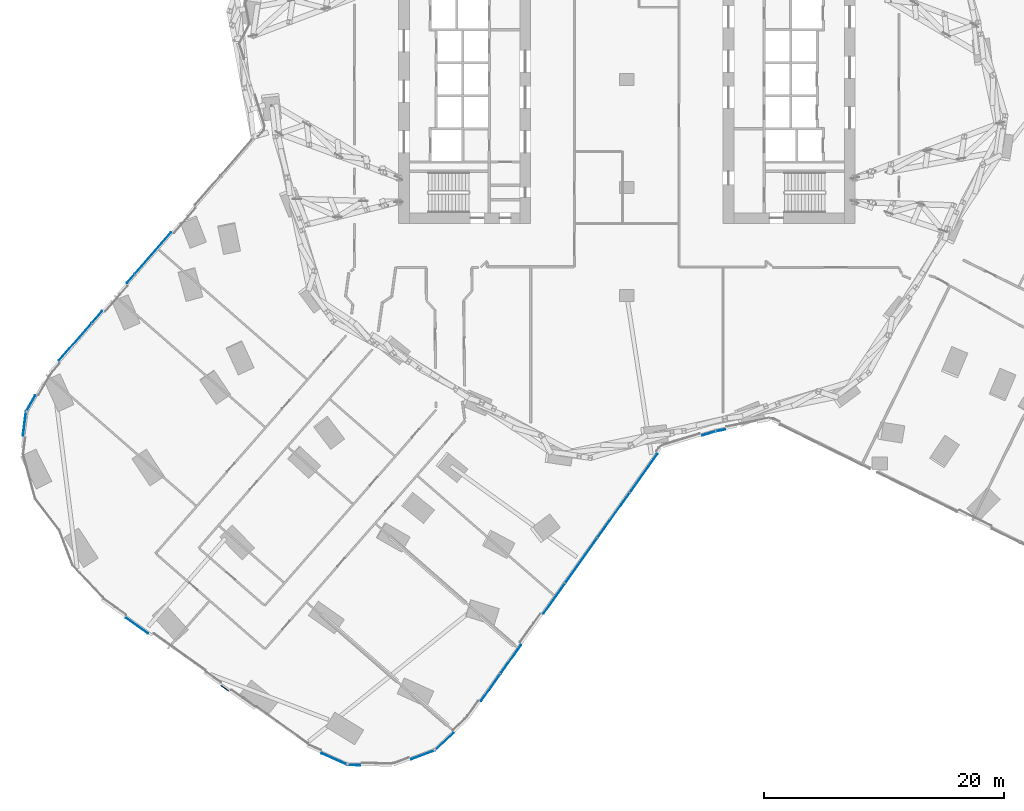
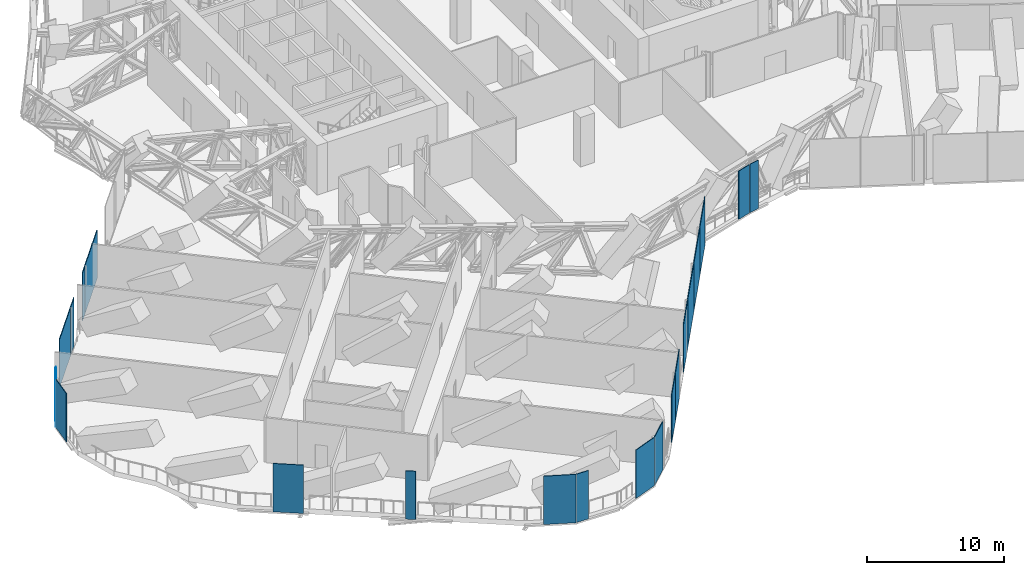
# One storey, part 18 of 34: 20 plates, 11 elements without a shape of their own.
"""IFC4 building model written with IfcOpenShell, lengths in metres."""

from ifc_helpers import new_model, si_unit, direction, frame, origin, origin_2d, place, context, subcontext, project, spatial, rectangle, extrude, material, layer, layer_set, type_object, element, aggregate, save


model = new_model("IFC4")

# Units and contexts
model_context = context("Model", 3, precision=1e-05, world=origin(), true_north=direction((0.0, 1.0)))
body_context = subcontext(model_context, "Body", "Model", "MODEL_VIEW")
ifc_project = project(units=[si_unit("LENGTHUNIT", "METRE"), si_unit("AREAUNIT", "SQUARE_METRE"), si_unit("VOLUMEUNIT", "CUBIC_METRE"), si_unit("PLANEANGLEUNIT", "RADIAN"), si_unit("MASSUNIT", "GRAM", prefix="KILO")], contexts=[model_context])

# Site, building, storey
site_placement = place(None, origin())
site = spatial("IfcSite", under=ifc_project, at=site_placement, CompositionType="ELEMENT")
building_placement = place(site_placement, origin())
building = spatial("IfcBuilding", under=site, at=building_placement, Name="Orlundy Tower", CompositionType="ELEMENT")
storey_placement = place(building_placement, frame((0.0, 0.0, 76.300048828125)))
storey = spatial("IfcBuildingStorey", under=building, at=storey_placement, Name="L18", CompositionType="ELEMENT", Elevation=76.300048828125)

# Curtain wall, plate
ifc_material_1 = material(Name="Aluminium bronze anodised", Category="aluminium")
curtain_wall_type = type_object("IfcCurtainWallType", Name="CW4 wall", PredefinedType="NOTDEFINED", material=ifc_material_1)
curtain_wall_1_placement = place(storey_placement, origin())
curtain_wall_1 = element("IfcCurtainWall", 1, at=curtain_wall_1_placement, inside=storey, type_object=curtain_wall_type, Name="CW4 run 028", PredefinedType="NOTDEFINED")
ifc_material_2 = material(Name="Louvre aluminium bronze anodised", Category="aluminium")
ifc_layer = layer(ifc_material_2, 0.06005859375)
ifc_layer_set = layer_set([ifc_layer], Name="CW4 louvre panel 60")
plate_type = type_object("IfcPlateType", Name="CW4 louvre panel 60", PredefinedType="CURTAIN_PANEL", material=ifc_layer_set)
plate_1_placement = place(storey_placement, frame((7.81298828125, -29.20361328125, -0.30029296875), z_axis=(0.0, 0.0, 1.0), x_axis=(-0.980515977631, -0.196439348429, 0.0)))
plate_1 = element("IfcPlate", 2, at=plate_1_placement, type_object=plate_type, Name="CW4 louvre", PredefinedType="CURTAIN_PANEL", context=body_context, shape_type="SweptSolid", body=[
    extrude(rectangle(XDim=0.79931640625, YDim=0.06005859375, at=origin_2d()), origin(), (0.0, 0.0, 1.0), 4.300048828125),
])
aggregate(curtain_wall_1, [plate_1])

curtain_wall_2_placement = place(storey_placement, origin())
curtain_wall_2 = element("IfcCurtainWall", 3, at=curtain_wall_2_placement, inside=storey, type_object=curtain_wall_type, Name="CW4 run 029", PredefinedType="NOTDEFINED")
plate_2_placement = place(storey_placement, frame((6.81494140625, -29.46435546875, -0.30029296875), z_axis=(0.0, 0.0, 1.0), x_axis=(-0.956291169851, -0.292416139201, 0.0)))
plate_2 = element("IfcPlate", 4, at=plate_2_placement, type_object=plate_type, Name="CW4 louvre", PredefinedType="CURTAIN_PANEL", context=body_context, shape_type="SweptSolid", body=[
    extrude(rectangle(XDim=1.14599609375, YDim=0.06005859375, at=origin_2d()), origin(), (0.0, 0.0, 1.0), 4.300048828125),
])
aggregate(curtain_wall_2, [plate_2])

# Curtain wall, plates
curtain_wall_3_placement = place(storey_placement, origin())
curtain_wall_3 = element("IfcCurtainWall", 5, at=curtain_wall_3_placement, inside=storey, type_object=curtain_wall_type, Name="CW4 run 030", PredefinedType="NOTDEFINED")
plate_3_placement = place(storey_placement, frame((1.40234375, -32.767822265625, -0.30029296875), z_axis=(0.0, 0.0, 1.0), x_axis=(-0.580710369629, -0.814110230009, 0.0)))
plate_3 = element("IfcPlate", 6, at=plate_3_placement, type_object=plate_type, Name="CW4 louvre", PredefinedType="CURTAIN_PANEL", context=body_context, shape_type="SweptSolid", body=[
    extrude(rectangle(XDim=3.907470703125, YDim=0.06005859375, at=origin_2d()), origin(), (0.0, 0.0, 1.0), 4.300048828125),
])
plate_4_placement = place(storey_placement, frame((-1.09423828125, -36.267822265625, -0.30029296875), z_axis=(0.0, 0.0, 1.0), x_axis=(-0.580710369629, -0.814110230009, 0.0)))
plate_4 = element("IfcPlate", 7, at=plate_4_placement, type_object=plate_type, Name="CW4 louvre", PredefinedType="CURTAIN_PANEL", context=body_context, shape_type="SweptSolid", body=[
    extrude(rectangle(XDim=4.57080078125, YDim=0.06005859375, at=origin_2d()), origin(), (0.0, 0.0, 1.0), 4.300048828125),
])
plate_5_placement = place(storey_placement, frame((-3.783447265625, -40.037841796875, -0.30029296875), z_axis=(0.0, 0.0, 1.0), x_axis=(-0.580710369629, -0.814110230009, 0.0)))
plate_5 = element("IfcPlate", 8, at=plate_5_placement, type_object=plate_type, Name="CW4 louvre", PredefinedType="CURTAIN_PANEL", context=body_context, shape_type="SweptSolid", body=[
    extrude(rectangle(XDim=4.57080078125, YDim=0.06005859375, at=origin_2d()), origin(), (0.0, 0.0, 1.0), 4.300048828125),
])
plate_6_placement = place(storey_placement, frame((-6.043212890625, -43.205810546875, -0.30029296875), z_axis=(0.0, 0.0, 1.0), x_axis=(-0.580710369629, -0.814110230009, 0.0)))
plate_6 = element("IfcPlate", 9, at=plate_6_placement, type_object=plate_type, Name="CW4 louvre", PredefinedType="CURTAIN_PANEL", context=body_context, shape_type="SweptSolid", body=[
    extrude(rectangle(XDim=3.091796875, YDim=0.06005859375, at=origin_2d()), origin(), (0.0, 0.0, 1.0), 4.300048828125),
])
plate_7_placement = place(storey_placement, frame((-9.642822265625, -48.252197265625, -0.30029296875), z_axis=(0.0, 0.0, 1.0), x_axis=(-0.580710369629, -0.814110230009, 0.0)))
plate_7 = element("IfcPlate", 10, at=plate_7_placement, type_object=plate_type, Name="CW4 louvre", PredefinedType="CURTAIN_PANEL", context=body_context, shape_type="SweptSolid", body=[
    extrude(rectangle(XDim=2.9140625, YDim=0.06005859375, at=origin_2d()), origin(), (0.0, 0.0, 1.0), 4.300048828125),
])
plate_8_placement = place(storey_placement, frame((-11.32470703125, -50.609619140625, -0.30029296875), z_axis=(0.0, 0.0, 1.0), x_axis=(-0.580710369629, -0.814110230009, 0.0)))
plate_8 = element("IfcPlate", 11, at=plate_8_placement, type_object=plate_type, Name="CW4 louvre", PredefinedType="CURTAIN_PANEL", context=body_context, shape_type="SweptSolid", body=[
    extrude(rectangle(XDim=2.7578125, YDim=0.06005859375, at=origin_2d()), origin(), (0.0, 0.0, 1.0), 4.300048828125),
])
aggregate(curtain_wall_3, [plate_3, plate_4, plate_5, plate_6, plate_7, plate_8])

# Curtain wall, plate
curtain_wall_4_placement = place(storey_placement, origin())
curtain_wall_4 = element("IfcCurtainWall", 12, at=curtain_wall_4_placement, inside=storey, type_object=curtain_wall_type, Name="CW4 run 031", PredefinedType="NOTDEFINED")
plate_9_placement = place(storey_placement, frame((-15.18017578125, -55.104736328125, -0.30029296875), z_axis=(0.0, 0.0, 1.0), x_axis=(-0.72823167665, -0.685331033241, 0.0)))
plate_9 = element("IfcPlate", 13, at=plate_9_placement, type_object=plate_type, Name="CW4 louvre", PredefinedType="CURTAIN_PANEL", context=body_context, shape_type="SweptSolid", body=[
    extrude(rectangle(XDim=2.090087890625, YDim=0.06005859375, at=origin_2d()), origin(), (0.0, 0.0, 1.0), 4.300048828125),
])
aggregate(curtain_wall_4, [plate_9])

curtain_wall_5_placement = place(storey_placement, origin())
curtain_wall_5 = element("IfcCurtainWall", 14, at=curtain_wall_5_placement, inside=storey, type_object=curtain_wall_type, Name="CW4 run 032", PredefinedType="NOTDEFINED")
plate_10_placement = place(storey_placement, frame((-16.935546875, -56.197509765625, -0.30029296875), z_axis=(0.0, 0.0, 1.0), x_axis=(-0.935182458523, -0.354166301715, 0.0)))
plate_10 = element("IfcPlate", 15, at=plate_10_placement, type_object=plate_type, Name="CW4 louvre", PredefinedType="CURTAIN_PANEL", context=body_context, shape_type="SweptSolid", body=[
    extrude(rectangle(XDim=2.126708984375, YDim=0.06005859375, at=origin_2d()), origin(), (0.0, 0.0, 1.0), 4.300048828125),
])
aggregate(curtain_wall_5, [plate_10])

curtain_wall_6_placement = place(storey_placement, origin())
curtain_wall_6 = element("IfcCurtainWall", 16, at=curtain_wall_6_placement, inside=storey, type_object=curtain_wall_type, Name="CW4 run 033", PredefinedType="NOTDEFINED")
plate_11_placement = place(storey_placement, frame((-22.72119140625, -57.058837890625, -0.30029296875), z_axis=(0.0, 0.0, 1.0), x_axis=(-0.999535219812, 0.030485149754, 0.0)))
plate_11 = element("IfcPlate", 17, at=plate_11_placement, type_object=plate_type, Name="CW4 louvre", PredefinedType="CURTAIN_PANEL", context=body_context, shape_type="SweptSolid", body=[
    extrude(rectangle(XDim=1.046142578125, YDim=0.06005859375, at=origin_2d()), origin(), (0.0, 0.0, 1.0), 4.300048828125),
])
aggregate(curtain_wall_6, [plate_11])

curtain_wall_7_placement = place(storey_placement, origin())
curtain_wall_7 = element("IfcCurtainWall", 18, at=curtain_wall_7_placement, inside=storey, type_object=curtain_wall_type, Name="CW4 run 034", PredefinedType="NOTDEFINED")
plate_12_placement = place(storey_placement, frame((-24.322021484375, -56.55712890625, -0.30029296875), z_axis=(0.0, 0.0, 1.0), x_axis=(-0.911673970719, 0.410914311157, 0.0)))
plate_12 = element("IfcPlate", 19, at=plate_12_placement, type_object=plate_type, Name="CW4 louvre", PredefinedType="CURTAIN_PANEL", context=body_context, shape_type="SweptSolid", body=[
    extrude(rectangle(XDim=2.36474609375, YDim=0.06005859375, at=origin_2d()), origin(), (0.0, 0.0, 1.0), 4.300048828125),
])
aggregate(curtain_wall_7, [plate_12])

# Curtain wall, plates
curtain_wall_8_placement = place(storey_placement, origin())
curtain_wall_8 = element("IfcCurtainWall", 20, at=curtain_wall_8_placement, inside=storey, type_object=curtain_wall_type, Name="CW4 run 035", PredefinedType="NOTDEFINED")
plate_13_placement = place(storey_placement, frame((-33.451904296875, -50.66162109375, -0.30029296875), z_axis=(0.0, 0.0, 1.0), x_axis=(-0.814141892545, 0.580665978686, 0.0)))
plate_13 = element("IfcPlate", 21, at=plate_13_placement, type_object=plate_type, Name="CW4 louvre", PredefinedType="CURTAIN_PANEL", context=body_context, shape_type="SweptSolid", body=[
    extrude(rectangle(XDim=0.760498046875, YDim=0.06005859375, at=origin_2d()), origin(), (0.0, 0.0, 1.0), 4.300048828125),
])
plate_14_placement = place(storey_placement, frame((-40.742919921875, -45.46142578125, -0.30029296875), z_axis=(0.0, 0.0, 1.0), x_axis=(-0.814141892545, 0.580665978686, 0.0)))
plate_14 = element("IfcPlate", 22, at=plate_14_placement, type_object=plate_type, Name="CW4 louvre", PredefinedType="CURTAIN_PANEL", context=body_context, shape_type="SweptSolid", body=[
    extrude(rectangle(XDim=2.23779296875, YDim=0.06005859375, at=origin_2d()), origin(), (0.0, 0.0, 1.0), 4.300048828125),
])
aggregate(curtain_wall_8, [plate_13, plate_14])

# Curtain wall, plate
curtain_wall_9_placement = place(storey_placement, origin())
curtain_wall_9 = element("IfcCurtainWall", 23, at=curtain_wall_9_placement, inside=storey, type_object=curtain_wall_type, Name="CW4 run 040", PredefinedType="NOTDEFINED")
plate_15_placement = place(storey_placement, frame((-50.1123046875, -28.63818359375, -0.30029296875), z_axis=(0.0, 0.0, 1.0), x_axis=(0.129246900831, 0.991612443763, 0.0)))
plate_15 = element("IfcPlate", 24, at=plate_15_placement, type_object=plate_type, Name="CW4 louvre", PredefinedType="CURTAIN_PANEL", context=body_context, shape_type="SweptSolid", body=[
    extrude(rectangle(XDim=2.028564453125, YDim=0.06005859375, at=origin_2d()), origin(), (0.0, 0.0, 1.0), 4.300048828125),
])
aggregate(curtain_wall_9, [plate_15])

curtain_wall_10_placement = place(storey_placement, origin())
curtain_wall_10 = element("IfcCurtainWall", 25, at=curtain_wall_10_placement, inside=storey, type_object=curtain_wall_type, Name="CW4 run 041", PredefinedType="NOTDEFINED")
plate_16_placement = place(storey_placement, frame((-49.60009765625, -26.969970703125, -0.30029296875), z_axis=(0.0, 0.0, 1.0), x_axis=(0.498577567738, 0.866845089361, 0.0)))
plate_16 = element("IfcPlate", 26, at=plate_16_placement, type_object=plate_type, Name="CW4 louvre", PredefinedType="CURTAIN_PANEL", context=body_context, shape_type="SweptSolid", body=[
    extrude(rectangle(XDim=1.52880859375, YDim=0.06005859375, at=origin_2d()), origin(), (0.0, 0.0, 1.0), 4.300048828125),
])
aggregate(curtain_wall_10, [plate_16])

# Curtain wall, plates
curtain_wall_11_placement = place(storey_placement, origin())
curtain_wall_11 = element("IfcCurtainWall", 27, at=curtain_wall_11_placement, inside=storey, type_object=curtain_wall_type, Name="CW4 run 042", PredefinedType="NOTDEFINED")
plate_17_placement = place(storey_placement, frame((-45.903564453125, -21.854736328125, -0.30029296875), z_axis=(0.0, 0.0, 1.0), x_axis=(0.658266898078, 0.752784624507, 0.0)))
plate_17 = element("IfcPlate", 28, at=plate_17_placement, type_object=plate_type, Name="CW4 louvre", PredefinedType="CURTAIN_PANEL", context=body_context, shape_type="SweptSolid", body=[
    extrude(rectangle(XDim=4.117919921875, YDim=0.06005859375, at=origin_2d()), origin(), (0.0, 0.0, 1.0), 4.300048828125),
])
plate_18_placement = place(storey_placement, frame((-44.0810546875, -19.7705078125, -0.30029296875), z_axis=(0.0, 0.0, 1.0), x_axis=(0.658266898078, 0.752784624507, 0.0)))
plate_18 = element("IfcPlate", 29, at=plate_18_placement, type_object=plate_type, Name="CW4 louvre", PredefinedType="CURTAIN_PANEL", context=body_context, shape_type="SweptSolid", body=[
    extrude(rectangle(XDim=1.298828125, YDim=0.06005859375, at=origin_2d()), origin(), (0.0, 0.0, 1.0), 4.300048828125),
])
plate_19_placement = place(storey_placement, frame((-41.286865234375, -16.574951171875, -0.30029296875), z_axis=(0.0, 0.0, 1.0), x_axis=(0.658266898078, 0.752784624507, 0.0)))
plate_19 = element("IfcPlate", 30, at=plate_19_placement, type_object=plate_type, Name="CW4 louvre", PredefinedType="CURTAIN_PANEL", context=body_context, shape_type="SweptSolid", body=[
    extrude(rectangle(XDim=0.933349609375, YDim=0.06005859375, at=origin_2d()), origin(), (0.0, 0.0, 1.0), 4.300048828125),
])
plate_20_placement = place(storey_placement, frame((-39.43701171875, -14.459716796875, -0.30029296875), z_axis=(0.0, 0.0, 1.0), x_axis=(0.658266898078, 0.752784624507, 0.0)))
plate_20 = element("IfcPlate", 31, at=plate_20_placement, type_object=plate_type, Name="CW4 louvre", PredefinedType="CURTAIN_PANEL", context=body_context, shape_type="SweptSolid", body=[
    extrude(rectangle(XDim=4.56640625, YDim=0.06005859375, at=origin_2d()), origin(), (0.0, 0.0, 1.0), 4.300048828125),
])
aggregate(curtain_wall_11, [plate_17, plate_18, plate_19, plate_20])

save(model, "model.ifc")
